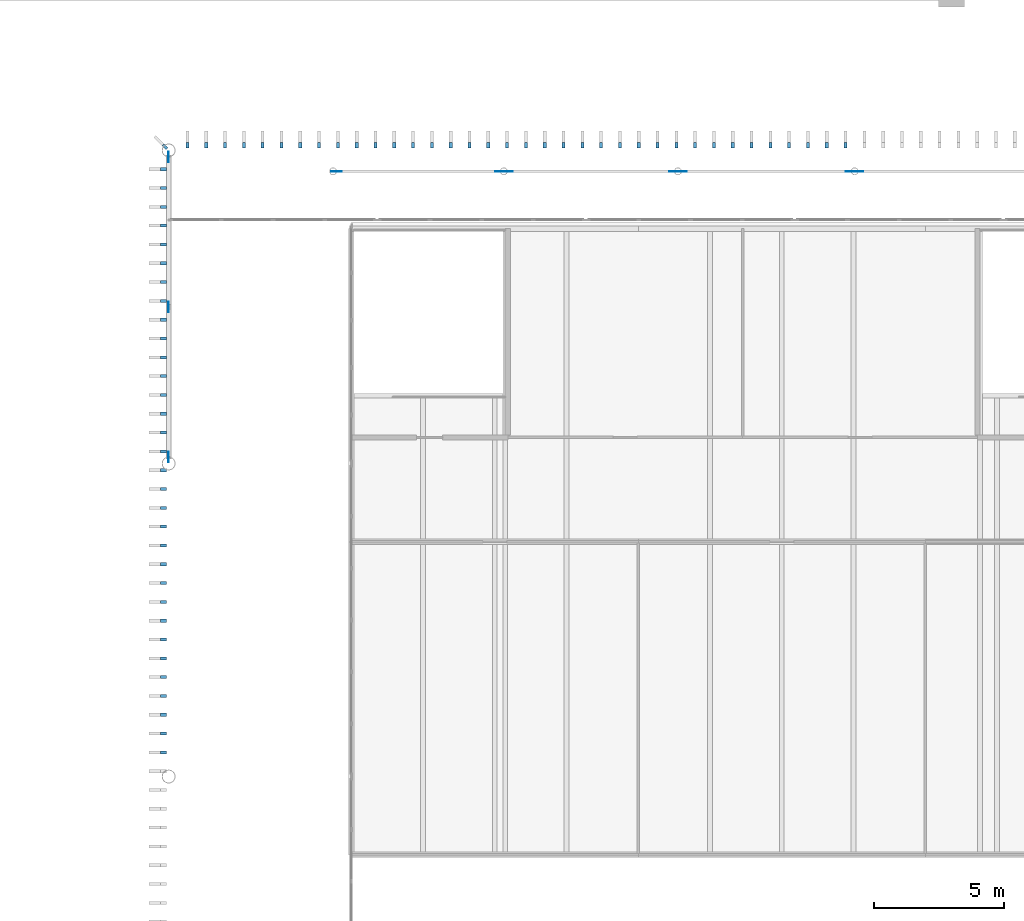
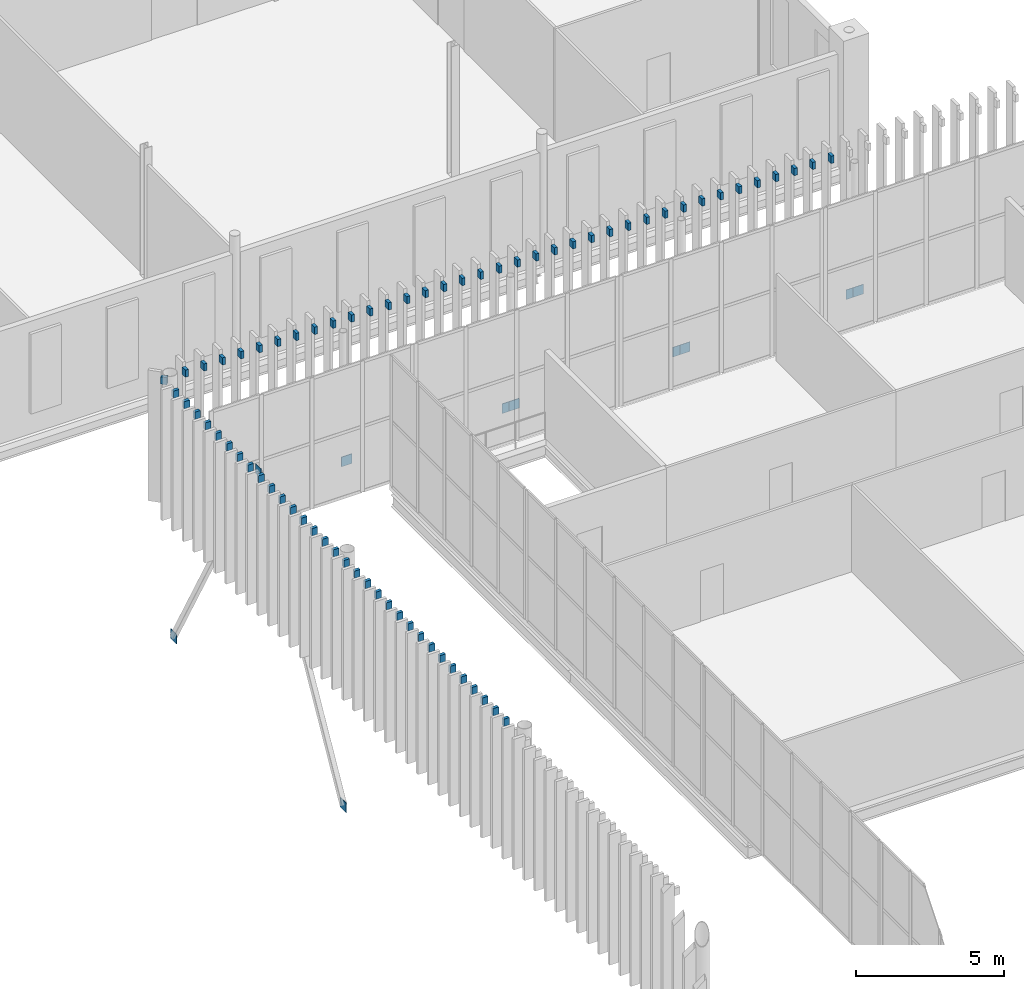
# One storey, part 145 of 170: 79 discrete accessories.
"""IFC4 building model written with IfcOpenShell, lengths in metres."""

from ifc_helpers import new_model, si_unit, direction, frame, origin, origin_2d, place, context, subcontext, project, spatial, rectangle, extrude, material, material_profile, profile_set, type_object, element, save


model = new_model("IFC4")

# Units and contexts
model_context = context("Model", 3, precision=1e-05, world=origin(), true_north=direction((0.0, 1.0)))
body_context = subcontext(model_context, "Body", "Model", "MODEL_VIEW")
ifc_project = project(units=[si_unit("LENGTHUNIT", "METRE"), si_unit("AREAUNIT", "SQUARE_METRE"), si_unit("VOLUMEUNIT", "CUBIC_METRE"), si_unit("PLANEANGLEUNIT", "RADIAN"), si_unit("MASSUNIT", "GRAM", prefix="KILO")], contexts=[model_context])

# Site, building, storey
site_placement = place(None, origin())
site = spatial("IfcSite", under=ifc_project, at=site_placement, CompositionType="ELEMENT")
building_placement = place(site_placement, origin())
building = spatial("IfcBuilding", under=site, at=building_placement, Name="Ravi Spectrum Wholesale Market", CompositionType="ELEMENT")
storey_placement = place(building_placement, frame((0.0, 0.0, 5.39990234375)))
storey = spatial("IfcBuildingStorey", under=building, at=storey_placement, Name="L01", CompositionType="ELEMENT", Elevation=5.39990234375)

# Discrete accessories
ifc_material_1 = material(Name="Steel S355", Category="steel")
discrete_accessory_type_1 = type_object("IfcDiscreteAccessoryType", Name="Fin bracket 120", PredefinedType="BRACKET", material=ifc_material_1)
for number, where, z_axis, x_axis, name in (
    (1, (29.858642578125, 198.141357421875, 4.89990234375), (0.0, 0.0, 1.0), (-0.707106781187, -0.707106781187, 0.0), "Fin bracket B001"),
    (2, (29.800048828125, 197.279052734375, 4.89990234375), (0.0, 0.0, 1.0), (0.0, -1.0, 0.0), "Fin bracket B002"),
    (3, (29.800048828125, 196.557861328125, 4.89990234375), (0.0, 0.0, 1.0), (0.0, -1.0, 0.0), "Fin bracket B003"),
    (4, (29.800048828125, 195.8369140625, 4.89990234375), (0.0, 0.0, 1.0), (0.0, -1.0, 0.0), "Fin bracket B004"),
    (5, (29.800048828125, 195.115966796875, 4.89990234375), (0.0, 0.0, 1.0), (0.0, -1.0, 0.0), "Fin bracket B005"),
    (6, (29.800048828125, 194.394775390625, 4.89990234375), (0.0, 0.0, 1.0), (0.0, -1.0, 0.0), "Fin bracket B006"),
    (7, (29.800048828125, 193.673828125, 4.89990234375), (0.0, 0.0, 1.0), (0.0, -1.0, 0.0), "Fin bracket B007"),
    (8, (29.800048828125, 192.952880859375, 4.89990234375), (0.0, 0.0, 1.0), (0.0, -1.0, 0.0), "Fin bracket B008"),
    (9, (29.800048828125, 192.231689453125, 4.89990234375), (0.0, 0.0, 1.0), (0.0, -1.0, 0.0), "Fin bracket B009"),
    (10, (29.800048828125, 191.5107421875, 4.89990234375), (0.0, 0.0, 1.0), (0.0, -1.0, 0.0), "Fin bracket B010"),
    (11, (29.800048828125, 190.789794921875, 4.89990234375), (0.0, 0.0, 1.0), (0.0, -1.0, 0.0), "Fin bracket B011"),
    (12, (29.800048828125, 190.068603515625, 4.89990234375), (0.0, 0.0, 1.0), (0.0, -1.0, 0.0), "Fin bracket B012"),
    (13, (29.800048828125, 189.34765625, 4.89990234375), (0.0, 0.0, 1.0), (0.0, -1.0, 0.0), "Fin bracket B013"),
    (14, (29.800048828125, 188.626708984375, 4.89990234375), (0.0, 0.0, 1.0), (0.0, -1.0, 0.0), "Fin bracket B014"),
    (15, (29.800048828125, 187.905517578125, 4.89990234375), (0.0, 0.0, 1.0), (0.0, -1.0, 0.0), "Fin bracket B015"),
    (16, (29.800048828125, 187.1845703125, 4.89990234375), (0.0, 0.0, 1.0), (0.0, -1.0, 0.0), "Fin bracket B016"),
    (17, (29.800048828125, 186.463623046875, 4.89990234375), (0.0, 0.0, 1.0), (0.0, -1.0, 0.0), "Fin bracket B017"),
    (18, (29.800048828125, 185.742431640625, 4.89990234375), (0.0, 0.0, 1.0), (0.0, -1.0, 0.0), "Fin bracket B018"),
    (19, (29.800048828125, 185.021484375, 4.89990234375), (0.0, 0.0, 1.0), (0.0, -1.0, 0.0), "Fin bracket B019"),
    (20, (29.800048828125, 184.300537109375, 4.89990234375), (0.0, 0.0, 1.0), (0.0, -1.0, 0.0), "Fin bracket B020"),
    (21, (29.800048828125, 183.579345703125, 4.89990234375), (0.0, 0.0, 1.0), (0.0, -1.0, 0.0), "Fin bracket B021"),
    (22, (29.800048828125, 182.8583984375, 4.89990234375), (0.0, 0.0, 1.0), (0.0, -1.0, 0.0), "Fin bracket B022"),
    (23, (29.800048828125, 182.137451171875, 4.89990234375), (0.0, 0.0, 1.0), (0.0, -1.0, 0.0), "Fin bracket B023"),
    (24, (29.800048828125, 181.416259765625, 4.89990234375), (0.0, 0.0, 1.0), (0.0, -1.0, 0.0), "Fin bracket B024"),
    (25, (29.800048828125, 180.6953125, 4.89990234375), (0.0, 0.0, 1.0), (0.0, -1.0, 0.0), "Fin bracket B025"),
    (26, (29.800048828125, 179.974365234375, 4.89990234375), (0.0, 0.0, 1.0), (0.0, -1.0, 0.0), "Fin bracket B026"),
    (27, (29.800048828125, 179.253173828125, 4.89990234375), (0.0, 0.0, 1.0), (0.0, -1.0, 0.0), "Fin bracket B027"),
    (28, (29.800048828125, 178.5322265625, 4.89990234375), (0.0, 0.0, 1.0), (0.0, -1.0, 0.0), "Fin bracket B028"),
    (29, (29.800048828125, 177.811279296875, 4.89990234375), (0.0, 0.0, 1.0), (0.0, -1.0, 0.0), "Fin bracket B029"),
    (30, (29.800048828125, 177.090087890625, 4.89990234375), (0.0, 0.0, 1.0), (0.0, -1.0, 0.0), "Fin bracket B030"),
    (31, (29.800048828125, 176.369140625, 4.89990234375), (0.0, 0.0, 1.0), (0.0, -1.0, 0.0), "Fin bracket B031"),
    (32, (29.800048828125, 175.64794921875, 4.89990234375), (0.0, 0.0, 1.0), (0.0, -1.0, 0.0), "Fin bracket B032"),
    (33, (29.800048828125, 174.927001953125, 4.89990234375), (0.0, 0.0, 1.0), (0.0, -1.0, 0.0), "Fin bracket B033"),
    (34, (55.946044921875, 198.199951171875, 4.89990234375), (0.0, 0.0, 1.0), (-1.0, 0.0, 0.0), "Fin bracket B662"),
    (35, (55.225341796875, 198.199951171875, 4.89990234375), (0.0, 0.0, 1.0), (-1.0, 0.0, 0.0), "Fin bracket B663"),
    (36, (54.50439453125, 198.199951171875, 4.89990234375), (0.0, 0.0, 1.0), (-1.0, 0.0, 0.0), "Fin bracket B664"),
    (37, (53.78369140625, 198.199951171875, 4.89990234375), (0.0, 0.0, 1.0), (-1.0, 0.0, 0.0), "Fin bracket B665"),
    (38, (53.06298828125, 198.199951171875, 4.89990234375), (0.0, 0.0, 1.0), (-1.0, 0.0, 0.0), "Fin bracket B666"),
    (39, (52.34228515625, 198.199951171875, 4.89990234375), (0.0, 0.0, 1.0), (-1.0, 0.0, 0.0), "Fin bracket B667"),
    (40, (51.62158203125, 198.199951171875, 4.89990234375), (0.0, 0.0, 1.0), (-1.0, 0.0, 0.0), "Fin bracket B668"),
    (41, (50.90087890625, 198.199951171875, 4.89990234375), (0.0, 0.0, 1.0), (-1.0, 0.0, 0.0), "Fin bracket B669"),
    (42, (50.18017578125, 198.199951171875, 4.89990234375), (0.0, 0.0, 1.0), (-1.0, 0.0, 0.0), "Fin bracket B670"),
    (43, (49.45947265625, 198.199951171875, 4.89990234375), (0.0, 0.0, 1.0), (-1.0, 0.0, 0.0), "Fin bracket B671"),
    (44, (48.73876953125, 198.199951171875, 4.89990234375), (0.0, 0.0, 1.0), (-1.0, 0.0, 0.0), "Fin bracket B672"),
    (45, (48.01806640625, 198.199951171875, 4.89990234375), (0.0, 0.0, 1.0), (-1.0, 0.0, 0.0), "Fin bracket B673"),
    (46, (47.29736328125, 198.199951171875, 4.89990234375), (0.0, 0.0, 1.0), (-1.0, 0.0, 0.0), "Fin bracket B674"),
    (47, (46.57666015625, 198.199951171875, 4.89990234375), (0.0, 0.0, 1.0), (-1.0, 0.0, 0.0), "Fin bracket B675"),
    (48, (45.85595703125, 198.199951171875, 4.89990234375), (0.0, 0.0, 1.0), (-1.0, 0.0, 0.0), "Fin bracket B676"),
    (49, (45.13525390625, 198.199951171875, 4.89990234375), (0.0, 0.0, 1.0), (-1.0, 0.0, 0.0), "Fin bracket B677"),
    (50, (44.414306640625, 198.199951171875, 4.89990234375), (0.0, 0.0, 1.0), (-1.0, 0.0, 0.0), "Fin bracket B678"),
    (51, (43.693603515625, 198.199951171875, 4.89990234375), (0.0, 0.0, 1.0), (-1.0, 0.0, 0.0), "Fin bracket B679"),
    (52, (42.972900390625, 198.199951171875, 4.89990234375), (0.0, 0.0, 1.0), (-1.0, 0.0, 0.0), "Fin bracket B680"),
    (53, (42.252197265625, 198.199951171875, 4.89990234375), (0.0, 0.0, 1.0), (-1.0, 0.0, 0.0), "Fin bracket B681"),
    (54, (41.531494140625, 198.199951171875, 4.89990234375), (0.0, 0.0, 1.0), (-1.0, 0.0, 0.0), "Fin bracket B682"),
    (55, (40.810791015625, 198.199951171875, 4.89990234375), (0.0, 0.0, 1.0), (-1.0, 0.0, 0.0), "Fin bracket B683"),
    (56, (40.090087890625, 198.199951171875, 4.89990234375), (0.0, 0.0, 1.0), (-1.0, 0.0, 0.0), "Fin bracket B684"),
    (57, (39.369384765625, 198.199951171875, 4.89990234375), (0.0, 0.0, 1.0), (-1.0, 0.0, 0.0), "Fin bracket B685"),
    (58, (38.648681640625, 198.199951171875, 4.89990234375), (0.0, 0.0, 1.0), (-1.0, 0.0, 0.0), "Fin bracket B686"),
    (59, (37.927978515625, 198.199951171875, 4.89990234375), (0.0, 0.0, 1.0), (-1.0, 0.0, 0.0), "Fin bracket B687"),
    (60, (37.207275390625, 198.199951171875, 4.89990234375), (0.0, 0.0, 1.0), (-1.0, 0.0, 0.0), "Fin bracket B688"),
    (61, (36.486572265625, 198.199951171875, 4.89990234375), (0.0, 0.0, 1.0), (-1.0, 0.0, 0.0), "Fin bracket B689"),
    (62, (35.765869140625, 198.199951171875, 4.89990234375), (0.0, 0.0, 1.0), (-1.0, 0.0, 0.0), "Fin bracket B690"),
    (63, (35.045166015625, 198.199951171875, 4.89990234375), (0.0, 0.0, 1.0), (-1.0, 0.0, 0.0), "Fin bracket B691"),
    (64, (34.32421875, 198.199951171875, 4.89990234375), (0.0, 0.0, 1.0), (-1.0, 0.0, 0.0), "Fin bracket B692"),
    (65, (33.603515625, 198.199951171875, 4.89990234375), (0.0, 0.0, 1.0), (-1.0, 0.0, 0.0), "Fin bracket B693"),
    (66, (32.8828125, 198.199951171875, 4.89990234375), (0.0, 0.0, 1.0), (-1.0, 0.0, 0.0), "Fin bracket B694"),
    (67, (32.162109375, 198.199951171875, 4.89990234375), (0.0, 0.0, 1.0), (-1.0, 0.0, 0.0), "Fin bracket B695"),
    (68, (31.44140625, 198.199951171875, 4.89990234375), (0.0, 0.0, 1.0), (-1.0, 0.0, 0.0), "Fin bracket B696"),
    (69, (30.720703125, 198.199951171875, 4.89990234375), (0.0, 0.0, 1.0), (-1.0, 0.0, 0.0), "Fin bracket B697"),
):
    element("IfcDiscreteAccessory", number, at=place(storey_placement, frame(where, z_axis=z_axis, x_axis=x_axis)), inside=storey, type_object=discrete_accessory_type_1, Name=name, PredefinedType="BRACKET", context=body_context, shape_type="SweptSolid", body=[
        extrude(rectangle(XDim=0.1201171875, YDim=0.219970703125, at=origin_2d()), origin(), (0.0, 0.0, 1.0), 0.300048828125),
    ])
ifc_material_2 = material(Name="Steel S355", Category="steel")
ifc_material_profile = material_profile(ifc_material_2, rectangle(XDim=0.39990234375, YDim=0.02001953125, at=origin_2d()))
ifc_profile_set = profile_set([ifc_material_profile], Name="Steel S355")
discrete_accessory_type_2 = type_object("IfcDiscreteAccessoryType", Name="Gusset plate 400x400x20", PredefinedType="BRACKET", material=ifc_profile_set)
discrete_accessory_1_placement = place(storey_placement, frame((30.0, 186.25390625, -5.55078125), z_axis=(0.0, 0.0, 1.0), x_axis=(0.0, 1.0, 0.0)))
element("IfcDiscreteAccessory", 70, at=discrete_accessory_1_placement, inside=storey, type_object=discrete_accessory_type_2, Name="Gusset plate", PredefinedType="BRACKET", context=body_context, shape_type="SweptSolid", body=[
    extrude(rectangle(XDim=0.39990234375, YDim=0.02001953125, at=origin_2d()), origin(), (0.0, 0.0, 1.0), 0.39990234375),
])
discrete_accessory_2_placement = place(storey_placement, frame((30.0, 192.0, 4.75), z_axis=(0.0, 0.0, 1.0), x_axis=(0.0, 1.0, 0.0)))
element("IfcDiscreteAccessory", 71, at=discrete_accessory_2_placement, inside=storey, type_object=discrete_accessory_type_2, Name="Gusset plate", PredefinedType="BRACKET", context=body_context, shape_type="SweptSolid", body=[
    extrude(rectangle(XDim=0.39990234375, YDim=0.02001953125, at=origin_2d()), origin(), (0.0, 0.0, 1.0), 0.400146484375),
])
discrete_accessory_3_placement = place(storey_placement, frame((30.0, 197.74609375, -5.55078125), z_axis=(0.0, 0.0, 1.0), x_axis=(0.0, -1.0, 0.0)))
element("IfcDiscreteAccessory", 72, at=discrete_accessory_3_placement, inside=storey, type_object=discrete_accessory_type_2, Name="Gusset plate", PredefinedType="BRACKET", context=body_context, shape_type="SweptSolid", body=[
    extrude(rectangle(XDim=0.39990234375, YDim=0.02001953125, at=origin_2d()), origin(), (0.0, 0.0, 1.0), 0.39990234375),
])
for number, where, z_axis, x_axis, name in (
    (73, (36.439453125, 197.199951171875, -0.199951171875), (0.0, 0.0, 1.0), (1.0, 0.0, 0.0), "Gusset plate"),
    (74, (42.71142578125, 197.199951171875, -0.199951171875), (0.0, 0.0, 1.0), (1.0, 0.0, 0.0), "Gusset plate"),
    (75, (42.984375, 197.199951171875, -0.199951171875), (0.0, 0.0, 1.0), (1.0, 0.0, 0.0), "Gusset plate"),
    (76, (49.385498046875, 197.199951171875, -0.199951171875), (0.0, 0.0, 1.0), (1.0, 0.0, 0.0), "Gusset plate"),
    (77, (49.658447265625, 197.199951171875, -0.199951171875), (0.0, 0.0, 1.0), (1.0, 0.0, 0.0), "Gusset plate"),
    (78, (56.1572265625, 197.199951171875, -0.199951171875), (0.0, 0.0, 1.0), (1.0, 0.0, 0.0), "Gusset plate"),
    (79, (56.43017578125, 197.199951171875, -0.199951171875), (0.0, 0.0, 1.0), (1.0, 0.0, 0.0), "Gusset plate"),
):
    element("IfcDiscreteAccessory", number, at=place(storey_placement, frame(where, z_axis=z_axis, x_axis=x_axis)), inside=storey, type_object=discrete_accessory_type_2, Name=name, PredefinedType="BRACKET", context=body_context, shape_type="SweptSolid", body=[
        extrude(rectangle(XDim=0.39990234375, YDim=0.02001953125, at=origin_2d()), origin(), (0.0, 0.0, 1.0), 0.400146484375),
    ])

save(model, "model.ifc")
